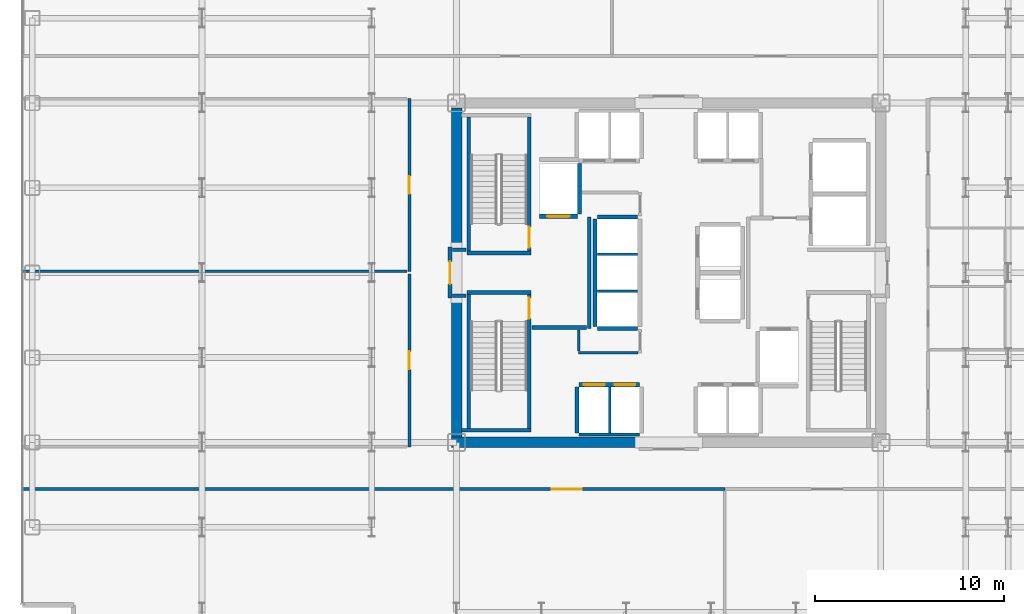
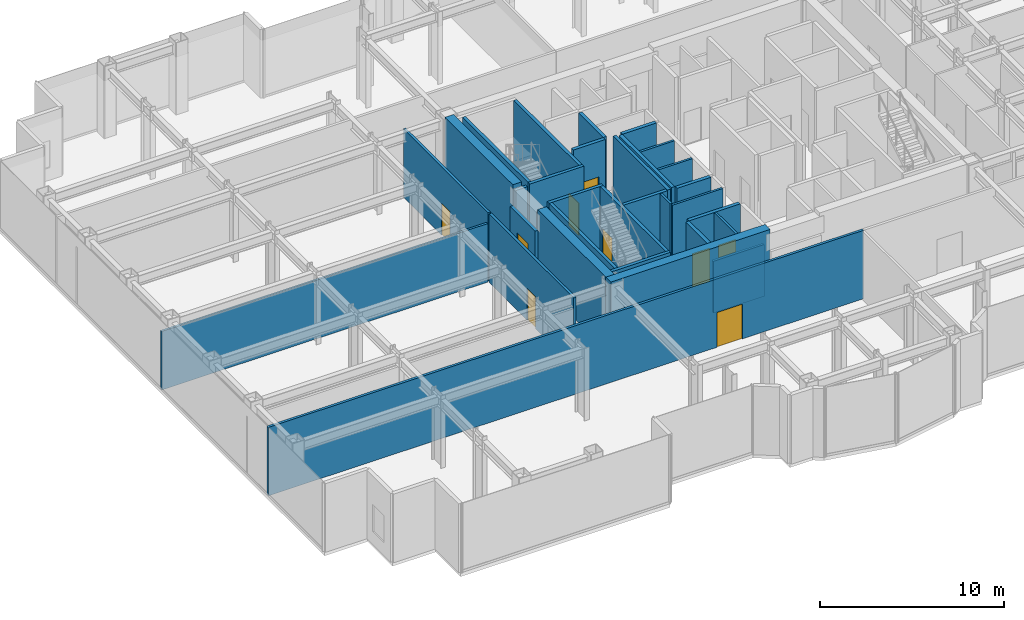
# One storey, part 20 of 27: 32 walls, 9 doors, 9 openings.
"""IFC4 building model written with IfcOpenShell, lengths in metres."""

from ifc_helpers import new_model, si_unit, direction, frame, frame_2d, origin, place, context, subcontext, project, spatial, rectangle, extrude, source, transform, mapped, material, layer, layer_set, type_object, element, fill, save


model = new_model("IFC4")

# Units and contexts
model_context = context("Model", 3, precision=1e-05, world=origin(), true_north=direction((0.0, 1.0)))
body_context = subcontext(model_context, "Body", "Model", "MODEL_VIEW")
ifc_project = project(units=[si_unit("LENGTHUNIT", "METRE"), si_unit("AREAUNIT", "SQUARE_METRE"), si_unit("VOLUMEUNIT", "CUBIC_METRE"), si_unit("PLANEANGLEUNIT", "RADIAN"), si_unit("MASSUNIT", "GRAM", prefix="KILO")], contexts=[model_context])

# Site, building, storey
site_placement = place(None, origin())
site = spatial("IfcSite", under=ifc_project, at=site_placement, CompositionType="ELEMENT")
building_placement = place(site_placement, origin())
building = spatial("IfcBuilding", under=site, at=building_placement, Name="Nefas-Gora Pilgrimage Tower", CompositionType="ELEMENT")
storey_placement = place(building_placement, frame((0.0, 0.0, 144.0)))
storey = spatial("IfcBuildingStorey", under=building, at=storey_placement, Name="L35", CompositionType="ELEMENT", Elevation=144.0)

# Walls
ifc_material_1 = material(Name="Concrete C60/75", Category="concrete")
ifc_layer_1 = layer(ifc_material_1, 0.550048828125)
ifc_layer_set_1 = layer_set([ifc_layer_1], Name="Concrete C60/75")
wall_type_1 = type_object("IfcWallType", Name="SW-CORE-550", PredefinedType="SHEAR", material=ifc_layer_set_1)
shared_shape_1 = source(origin(), body_context, "Body", "SweptSolid", [
    extrude(rectangle(XDim=9.974853515625, YDim=0.550048828125, at=frame_2d((4.9873046875, 0.0))), origin(), (0.0, 0.0, 1.0), 4.800048828125),
])
wall_1_placement = place(storey_placement, frame((-11.52490234375, -9.0, 0.0), z_axis=(0.0, 0.0, 1.0), x_axis=(1.0, 0.0, 0.0)))
element("IfcWall", 1, at=wall_1_placement, inside=storey, type_object=wall_type_1, Name="L35 Core Shear Wall S-West", PredefinedType="SHEAR", context=body_context, shape_type="MappedRepresentation", body=[
    mapped(shared_shape_1, transform((0.0, 0.0, 0.0), x_axis=(1.0, 0.0, 0.0), y_axis=(0.0, 1.0, 0.0), z_axis=(0.0, 0.0, 1.0), scale=1.0)),
])
shared_shape_2 = source(origin(), body_context, "Body", "SweptSolid", [
    extrude(rectangle(XDim=7.375, YDim=0.550048828125, at=frame_2d((3.6875, 0.0))), origin(), (0.0, 0.0, 1.0), 4.800048828125),
])
for number, where, z_axis, x_axis, name in (
    (2, (-11.25, -8.72509765625, 0.0), (0.0, 0.0, 1.0), (0.0, 1.0, 0.0), "L35 Core Shear Wall W-South"),
    (3, (-11.25, 1.35009765625, 0.0), (0.0, 0.0, 1.0), (0.0, 1.0, 0.0), "L35 Core Shear Wall W-North"),
):
    element("IfcWall", number, at=place(storey_placement, frame(where, z_axis=z_axis, x_axis=x_axis)), inside=storey, type_object=wall_type_1, Name=name, PredefinedType="SHEAR", context=body_context, shape_type="MappedRepresentation", body=[
        mapped(shared_shape_2, transform((0.0, 0.0, 0.0), x_axis=(1.0, 0.0, 0.0), y_axis=(0.0, 1.0, 0.0), z_axis=(0.0, 0.0, 1.0), scale=1.0)),
    ])
ifc_material_2 = material(Name="Concrete C45/55", Category="concrete")
ifc_layer_2 = layer(ifc_material_2, 0.199951171875)
ifc_layer_set_2 = layer_set([ifc_layer_2], Name="Concrete C45/55")
wall_type_2 = type_object("IfcWallType", Name="IW-STAIR-200", PredefinedType="SOLIDWALL", material=ifc_layer_set_2)
shared_shape_3 = source(origin(), body_context, "Body", "SweptSolid", [
    extrude(rectangle(XDim=3.39990234375, YDim=0.199951171875, at=frame_2d((1.699951171875, 0.0))), origin(), (0.0, 0.0, 1.0), 4.800048828125),
])
for number, where, z_axis, x_axis, name in (
    (4, (-7.300048828125, 1.050048828125, 0.0), (0.0, 0.0, 1.0), (-1.0, 0.0, 0.0), "L35 Stairwell Shear Wall ST-01-near"),
    (5, (-10.699951171875, -1.050048828125, 0.0), (0.0, 0.0, 1.0), (1.0, 0.0, 0.0), "L35 Stairwell Shear Wall ST-03-near"),
):
    element("IfcWall", number, at=place(storey_placement, frame(where, z_axis=z_axis, x_axis=x_axis)), inside=storey, type_object=wall_type_2, Name=name, PredefinedType="SOLIDWALL", context=body_context, shape_type="MappedRepresentation", body=[
        mapped(shared_shape_3, transform((0.0, 0.0, 0.0), x_axis=(1.0, 0.0, 0.0), y_axis=(0.0, 1.0, 0.0), z_axis=(0.0, 0.0, 1.0), scale=1.0)),
    ])
shared_shape_4 = source(origin(), body_context, "Body", "SweptSolid", [
    extrude(rectangle(XDim=3.679931640625, YDim=0.199951171875, at=frame_2d((1.83984375, 0.0))), origin(), (0.0, 0.0, 1.0), 4.800048828125),
])
wall_2_placement = place(storey_placement, frame((-10.97998046875, -8.35009765625, 0.0), z_axis=(0.0, 0.0, 1.0), x_axis=(1.0, 0.0, 0.0)))
element("IfcWall", 6, at=wall_2_placement, inside=storey, type_object=wall_type_2, Name="L35 Stairwell Shear Wall ST-03-far", PredefinedType="SOLIDWALL", context=body_context, shape_type="MappedRepresentation", body=[
    mapped(shared_shape_4, transform((0.0, 0.0, 0.0), x_axis=(1.0, 0.0, 0.0), y_axis=(0.0, 1.0, 0.0), z_axis=(0.0, 0.0, 1.0), scale=1.0)),
])

# Wall, opening, door
shared_shape_5 = source(origin(), body_context, "Body", "SweptSolid", [
    extrude(rectangle(XDim=7.10009765625, YDim=0.199951171875, at=frame_2d((3.550048828125, 0.0))), origin(), (0.0, 0.0, 1.0), 4.800048828125),
])
wall_3_placement = place(storey_placement, frame((-7.39990234375, 1.14990234375, 0.0), z_axis=(0.0, 0.0, 1.0), x_axis=(0.0, 1.0, 0.0)))
wall_3 = element("IfcWall", 7, at=wall_3_placement, inside=storey, type_object=wall_type_2, Name="L35 Stairwell Shear Wall ST-01-left", PredefinedType="SOLIDWALL", context=body_context, shape_type="MappedRepresentation", body=[
    mapped(shared_shape_5, transform((0.0, 0.0, 0.0), x_axis=(1.0, 0.0, 0.0), y_axis=(0.0, 1.0, 0.0), z_axis=(0.0, 0.0, 1.0), scale=1.0)),
])
opening_1_placement = place(wall_3_placement, frame((0.179931640625, 0.0, 0.0)))
opening_1 = element("IfcOpeningElement", 8, at=opening_1_placement, cuts=wall_3, Name="Opening ID-ST1", PredefinedType="OPENING", context=body_context, shape_type="SweptSolid", body=[
    extrude(rectangle(XDim=1.10009765625, YDim=2.14990234375, at=frame_2d((0.550048828125, 1.074951171875))), frame((0.0, 0.10986328125, 0.0), z_axis=(0.0, -1.0, 0.0), x_axis=(1.0, 0.0, 0.0)), (0.0, 0.0, 1.0), 0.219970703125),
])
ifc_material_3 = material(Name="Painted galvanised steel fire stair door", Category="steel")
door_type_1 = type_object("IfcDoorType", Name="DR-INT-STAIR-1100", OperationType="NOTDEFINED", PredefinedType="DOOR", material=ifc_material_3)
shared_shape_6 = source(origin(), body_context, "Body", "SweptSolid", [
    extrude(rectangle(XDim=1.10009765625, YDim=2.14990234375, at=frame_2d((0.550048828125, 1.074951171875))), frame((0.0, 0.02490234375, 0.0), z_axis=(0.0, -1.0, 0.0), x_axis=(1.0, 0.0, 0.0)), (0.0, 0.0, 1.0), 0.050048828125),
])
door_1_placement = place(opening_1_placement, origin())
door_1 = element("IfcDoor", 9, at=door_1_placement, inside=storey, type_object=door_type_1, Name="L35 Protected Exit Stair Door ST-01", OperationType="SINGLE_SWING_LEFT", OverallHeight=2.14990234375, OverallWidth=1.10009765625, PredefinedType="DOOR", context=body_context, shape_type="MappedRepresentation", body=[
    mapped(shared_shape_6, transform((0.0, 0.0, 0.0), x_axis=(1.0, 0.0, 0.0), y_axis=(0.0, 1.0, 0.0), z_axis=(0.0, 0.0, 1.0), scale=1.0)),
])
fill(opening_1, door_1)

# Walls
for number, where, z_axis, x_axis, name in (
    (10, (-10.60009765625, 1.14990234375, 0.0), (0.0, 0.0, 1.0), (0.0, 1.0, 0.0), "L35 Stairwell Shear Wall ST-01-right"),
    (11, (-10.60009765625, -1.14990234375, 0.0), (0.0, 0.0, 1.0), (0.0, -1.0, 0.0), "L35 Stairwell Shear Wall ST-03-left"),
):
    element("IfcWall", number, at=place(storey_placement, frame(where, z_axis=z_axis, x_axis=x_axis)), inside=storey, type_object=wall_type_2, Name=name, PredefinedType="SOLIDWALL", context=body_context, shape_type="MappedRepresentation", body=[
        mapped(shared_shape_5, transform((0.0, 0.0, 0.0), x_axis=(1.0, 0.0, 0.0), y_axis=(0.0, 1.0, 0.0), z_axis=(0.0, 0.0, 1.0), scale=1.0)),
    ])

# Wall, opening, door
wall_4_placement = place(storey_placement, frame((-7.39990234375, -1.14990234375, 0.0), z_axis=(0.0, 0.0, 1.0), x_axis=(0.0, -1.0, 0.0)))
wall_4 = element("IfcWall", 12, at=wall_4_placement, inside=storey, type_object=wall_type_2, Name="L35 Stairwell Shear Wall ST-03-right", PredefinedType="SOLIDWALL", context=body_context, shape_type="MappedRepresentation", body=[
    mapped(shared_shape_5, transform((0.0, 0.0, 0.0), x_axis=(1.0, 0.0, 0.0), y_axis=(0.0, 1.0, 0.0), z_axis=(0.0, 0.0, 1.0), scale=1.0)),
])
opening_2_placement = place(wall_4_placement, frame((0.179931640625, 0.0, 0.0)))
opening_2 = element("IfcOpeningElement", 13, at=opening_2_placement, cuts=wall_4, Name="Opening ID-ST1", PredefinedType="OPENING", context=body_context, shape_type="SweptSolid", body=[
    extrude(rectangle(XDim=1.10009765625, YDim=2.14990234375, at=frame_2d((0.550048828125, 1.074951171875))), frame((0.0, 0.10986328125, 0.0), z_axis=(0.0, -1.0, 0.0), x_axis=(1.0, 0.0, 0.0)), (0.0, 0.0, 1.0), 0.219970703125),
])
door_2_placement = place(opening_2_placement, origin())
door_2 = element("IfcDoor", 14, at=door_2_placement, inside=storey, type_object=door_type_1, Name="L35 Protected Exit Stair Door ST-03", OperationType="SINGLE_SWING_LEFT", OverallHeight=2.14990234375, OverallWidth=1.10009765625, PredefinedType="DOOR", context=body_context, shape_type="MappedRepresentation", body=[
    mapped(shared_shape_6, transform((0.0, 0.0, 0.0), x_axis=(1.0, 0.0, 0.0), y_axis=(0.0, 1.0, 0.0), z_axis=(0.0, 0.0, 1.0), scale=1.0)),
])
fill(opening_2, door_2)

ifc_material_4 = material(Name="Concrete C40/50", Category="concrete")
ifc_layer_3 = layer(ifc_material_4, 0.219970703125)
ifc_layer_set_3 = layer_set([ifc_layer_3], Name="Concrete C40/50")
wall_type_3 = type_object("IfcWallType", Name="IW-SHAFT-220", PredefinedType="SOLIDWALL", material=ifc_layer_set_3)
shared_shape_7 = source(origin(), body_context, "Body", "SweptSolid", [
    extrude(rectangle(XDim=2.0, YDim=0.219970703125, at=frame_2d((1.0, 0.0))), origin(), (0.0, 0.0, 1.0), 4.534912109375),
])
wall_5_placement = place(storey_placement, frame((-6.85009765625, 2.989990234375, 0.0), z_axis=(0.0, 0.0, 1.0), x_axis=(1.0, 0.0, 0.0)))
wall_5 = element("IfcWall", 15, at=wall_5_placement, inside=storey, type_object=wall_type_3, Name="L35 Hoistway Wall FFL-01-S", PredefinedType="SOLIDWALL", context=body_context, shape_type="MappedRepresentation", body=[
    mapped(shared_shape_7, transform((0.0, 0.0, 0.0), x_axis=(1.0, 0.0, 0.0), y_axis=(0.0, 1.0, 0.0), z_axis=(0.0, 0.0, 1.0), scale=1.0)),
])
opening_3_placement = place(wall_5_placement, frame((0.39990234375, 0.0, 0.0)))
opening_3 = element("IfcOpeningElement", 16, at=opening_3_placement, cuts=wall_5, Name="Opening LD-FF", PredefinedType="OPENING", context=body_context, shape_type="SweptSolid", body=[
    extrude(rectangle(XDim=1.199951171875, YDim=2.199951171875, at=frame_2d((0.60009765625, 1.10009765625))), frame((0.0, 0.119873046875, 0.0), z_axis=(0.0, -1.0, 0.0), x_axis=(1.0, 0.0, 0.0)), (0.0, 0.0, 1.0), 0.239990234375),
])
ifc_material_5 = material(Name="Fire-service sliding lift landing door")
door_type_2 = type_object("IfcDoorType", Name="DR-LIFT-FSAE-1200", OperationType="SLIDING_TO_LEFT", PredefinedType="DOOR", material=ifc_material_5)
shared_shape_8 = source(origin(), body_context, "Body", "SweptSolid", [
    extrude(rectangle(XDim=1.199951171875, YDim=2.199951171875, at=frame_2d((0.60009765625, 1.10009765625))), frame((0.0, 0.02490234375, 0.0), z_axis=(0.0, -1.0, 0.0), x_axis=(1.0, 0.0, 0.0)), (0.0, 0.0, 1.0), 0.050048828125),
])
door_3_placement = place(opening_3_placement, origin())
door_3 = element("IfcDoor", 17, at=door_3_placement, inside=storey, type_object=door_type_2, Name="L35 Sliding Lift Landing Door FFL-01", OperationType="SLIDING_TO_LEFT", OverallHeight=2.199951171875, OverallWidth=1.199951171875, PredefinedType="DOOR", context=body_context, shape_type="MappedRepresentation", body=[
    mapped(shared_shape_8, transform((0.0, 0.0, 0.0), x_axis=(1.0, 0.0, 0.0), y_axis=(0.0, 1.0, 0.0), z_axis=(0.0, 0.0, 1.0), scale=1.0)),
])
fill(opening_3, door_3)

# Wall
shared_shape_9 = source(origin(), body_context, "Body", "SweptSolid", [
    extrude(rectangle(XDim=2.679931640625, YDim=0.219970703125, at=frame_2d((1.33984375, 0.0))), origin(), (0.0, 0.0, 1.0), 4.534912109375),
])
wall_6_placement = place(storey_placement, frame((-4.739990234375, 3.110107421875, 0.0), z_axis=(0.0, 0.0, 1.0), x_axis=(0.0, 1.0, 0.0)))
element("IfcWall", 18, at=wall_6_placement, inside=storey, type_object=wall_type_3, Name="L35 Hoistway Wall FFL-01-E", PredefinedType="SOLIDWALL", context=body_context, shape_type="MappedRepresentation", body=[
    mapped(shared_shape_9, transform((0.0, 0.0, 0.0), x_axis=(1.0, 0.0, 0.0), y_axis=(0.0, 1.0, 0.0), z_axis=(0.0, 0.0, 1.0), scale=1.0)),
])

# Wall, openings, doors
shared_shape_10 = source(origin(), body_context, "Body", "SweptSolid", [
    extrude(rectangle(XDim=3.199951171875, YDim=0.219970703125, at=frame_2d((1.60009765625, 0.0))), origin(), (0.0, 0.0, 1.0), 4.534912109375),
])
wall_7_placement = place(storey_placement, frame((-1.550048828125, -5.93994140625, 0.0), z_axis=(0.0, 0.0, 1.0), x_axis=(-1.0, 0.0, 0.0)))
wall_7 = element("IfcWall", 19, at=wall_7_placement, inside=storey, type_object=wall_type_3, Name="L35 Hoistway Wall PL2-W-N", PredefinedType="SOLIDWALL", context=body_context, shape_type="MappedRepresentation", body=[
    mapped(shared_shape_10, transform((0.0, 0.0, 0.0), x_axis=(1.0, 0.0, 0.0), y_axis=(0.0, 1.0, 0.0), z_axis=(0.0, 0.0, 1.0), scale=1.0)),
])
opening_4_placement = place(wall_7_placement, frame((1.85009765625, 0.0, 0.0)))
opening_4 = element("IfcOpeningElement", 20, at=opening_4_placement, cuts=wall_7, Name="Opening LD-01", PredefinedType="OPENING", context=body_context, shape_type="SweptSolid", body=[
    extrude(rectangle(XDim=1.10009765625, YDim=2.199951171875, at=frame_2d((0.550048828125, 1.10009765625))), frame((0.0, 0.119873046875, 0.0), z_axis=(0.0, -1.0, 0.0), x_axis=(1.0, 0.0, 0.0)), (0.0, 0.0, 1.0), 0.239990234375),
])
opening_5_placement = place(wall_7_placement, frame((0.22509765625, 0.0, 0.0)))
opening_5 = element("IfcOpeningElement", 21, at=opening_5_placement, cuts=wall_7, Name="Opening LD-01", PredefinedType="OPENING", context=body_context, shape_type="SweptSolid", body=[
    extrude(rectangle(XDim=1.10009765625, YDim=2.199951171875, at=frame_2d((0.550048828125, 1.10009765625))), frame((0.0, 0.119873046875, 0.0), z_axis=(0.0, -1.0, 0.0), x_axis=(1.0, 0.0, 0.0)), (0.0, 0.0, 1.0), 0.239990234375),
])
ifc_material_6 = material(Name="Brushed stainless sliding lift landing door")
door_type_3 = type_object("IfcDoorType", Name="DR-LIFT-PASS-1100", OperationType="DOUBLE_DOOR_SLIDING", PredefinedType="DOOR", material=ifc_material_6)
shared_shape_11 = source(origin(), body_context, "Body", "SweptSolid", [
    extrude(rectangle(XDim=1.10009765625, YDim=2.199951171875, at=frame_2d((0.550048828125, 1.10009765625))), frame((0.0, 0.02490234375, 0.0), z_axis=(0.0, -1.0, 0.0), x_axis=(1.0, 0.0, 0.0)), (0.0, 0.0, 1.0), 0.050048828125),
])
door_4_placement = place(opening_4_placement, origin())
door_4 = element("IfcDoor", 22, at=door_4_placement, inside=storey, type_object=door_type_3, Name="L35 Sliding Lift Landing Door PL2-01", OperationType="DOUBLE_DOOR_SLIDING", OverallHeight=2.199951171875, OverallWidth=1.10009765625, PredefinedType="DOOR", context=body_context, shape_type="MappedRepresentation", body=[
    mapped(shared_shape_11, transform((0.0, 0.0, 0.0), x_axis=(1.0, 0.0, 0.0), y_axis=(0.0, 1.0, 0.0), z_axis=(0.0, 0.0, 1.0), scale=1.0)),
])
fill(opening_4, door_4)
door_5_placement = place(opening_5_placement, origin())
door_5 = element("IfcDoor", 23, at=door_5_placement, inside=storey, type_object=door_type_3, Name="L35 Sliding Lift Landing Door PL2-02", OperationType="DOUBLE_DOOR_SLIDING", OverallHeight=2.199951171875, OverallWidth=1.10009765625, PredefinedType="DOOR", context=body_context, shape_type="MappedRepresentation", body=[
    mapped(shared_shape_11, transform((0.0, 0.0, 0.0), x_axis=(1.0, 0.0, 0.0), y_axis=(0.0, 1.0, 0.0), z_axis=(0.0, 0.0, 1.0), scale=1.0)),
])
fill(opening_5, door_5)

# Walls
ifc_material_7 = material(Name="Gypsum acoustic stud partition")
ifc_layer_4 = layer(ifc_material_7, 0.159912109375)
ifc_layer_set_4 = layer_set([ifc_layer_4], Name="Gypsum acoustic stud partition")
wall_type_4 = type_object("IfcWallType", Name="IW-CORR-160", PredefinedType="PARTITIONING", material=ifc_layer_set_4)
shared_shape_12 = source(origin(), body_context, "Body", "SweptSolid", [
    extrude(rectangle(XDim=3.199951171875, YDim=0.159912109375, at=frame_2d((1.60009765625, 0.0))), origin(), (0.0, 0.0, 1.0), 3.425048828125),
])
wall_8_placement = place(storey_placement, frame((-4.75, -8.580078125, 0.0), z_axis=(0.0, 0.0, 1.0), x_axis=(1.0, 0.0, 0.0)))
element("IfcWall", 24, at=wall_8_placement, inside=storey, type_object=wall_type_4, Name="L35 Hoistway Wall PL2-W-S", PredefinedType="PARTITIONING", context=body_context, shape_type="MappedRepresentation", body=[
    mapped(shared_shape_12, transform((0.0, 0.0, 0.0), x_axis=(1.0, 0.0, 0.0), y_axis=(0.0, 1.0, 0.0), z_axis=(0.0, 0.0, 1.0), scale=1.0)),
])
shared_shape_13 = source(origin(), body_context, "Body", "SweptSolid", [
    extrude(rectangle(XDim=2.429931640625, YDim=0.219970703125, at=frame_2d((1.21484375, 0.0))), origin(), (0.0, 0.0, 1.0), 4.534912109375),
])
wall_9_placement = place(storey_placement, frame((-4.860107421875, -6.06005859375, 0.0), z_axis=(0.0, 0.0, 1.0), x_axis=(0.0, -1.0, 0.0)))
element("IfcWall", 25, at=wall_9_placement, inside=storey, type_object=wall_type_3, Name="L35 Hoistway Wall PL2-W-W", PredefinedType="SOLIDWALL", context=body_context, shape_type="MappedRepresentation", body=[
    mapped(shared_shape_13, transform((0.0, 0.0, 0.0), x_axis=(1.0, 0.0, 0.0), y_axis=(0.0, 1.0, 0.0), z_axis=(0.0, 0.0, 1.0), scale=1.0)),
])
ifc_material_8 = material(Name="Gypsum twin-stud partition")
ifc_layer_5 = layer(ifc_material_8, 0.139892578125)
ifc_layer_set_5 = layer_set([ifc_layer_5], Name="Gypsum twin-stud partition")
wall_type_5 = type_object("IfcWallType", Name="IW-UNIT-140", PredefinedType="PARTITIONING", material=ifc_layer_set_5)
shared_shape_14 = source(origin(), body_context, "Body", "SweptSolid", [
    extrude(rectangle(XDim=2.429931640625, YDim=0.139892578125, at=frame_2d((1.21484375, 0.0))), origin(), (0.0, 0.0, 1.0), 4.534912109375),
])
wall_10_placement = place(storey_placement, frame((-3.125, -8.489990234375, 0.0), z_axis=(0.0, 0.0, 1.0), x_axis=(0.0, 1.0, 0.0)))
element("IfcWall", 26, at=wall_10_placement, inside=storey, type_object=wall_type_5, Name="L35 Hoistway Wall PL2-W-DIV", PredefinedType="PARTITIONING", context=body_context, shape_type="MappedRepresentation", body=[
    mapped(shared_shape_14, transform((0.0, 0.0, 0.0), x_axis=(1.0, 0.0, 0.0), y_axis=(0.0, 1.0, 0.0), z_axis=(0.0, 0.0, 1.0), scale=1.0)),
])
shared_shape_15 = source(origin(), body_context, "Body", "SweptSolid", [
    extrude(rectangle(XDim=5.7001953125, YDim=0.219970703125, at=frame_2d((2.85009765625, 0.0))), origin(), (0.0, 0.0, 1.0), 4.534912109375),
])
wall_11_placement = place(storey_placement, frame((-3.909912109375, 2.85009765625, 0.0), z_axis=(0.0, 0.0, 1.0), x_axis=(0.0, -1.0, 0.0)))
element("IfcWall", 27, at=wall_11_placement, inside=storey, type_object=wall_type_3, Name="L35 Hoistway Wall PL3-01-03-W", PredefinedType="SOLIDWALL", context=body_context, shape_type="MappedRepresentation", body=[
    mapped(shared_shape_15, transform((0.0, 0.0, 0.0), x_axis=(1.0, 0.0, 0.0), y_axis=(0.0, 1.0, 0.0), z_axis=(0.0, 0.0, 1.0), scale=1.0)),
])
shared_shape_16 = source(origin(), body_context, "Body", "SweptSolid", [
    extrude(rectangle(XDim=2.130126953125, YDim=0.219970703125, at=frame_2d((1.06494140625, 0.0))), origin(), (0.0, 0.0, 1.0), 4.534912109375),
])
for number, where, z_axis, x_axis, name in (
    (28, (-3.7900390625, -2.9599609375, 0.0), (0.0, 0.0, 1.0), (1.0, 0.0, 0.0), "L35 Hoistway Wall PL3-01-S"),
    (29, (-1.659912109375, 2.9599609375, 0.0), (0.0, 0.0, 1.0), (-1.0, 0.0, 0.0), "L35 Hoistway Wall PL3-03-N"),
):
    element("IfcWall", number, at=place(storey_placement, frame(where, z_axis=z_axis, x_axis=x_axis)), inside=storey, type_object=wall_type_3, Name=name, PredefinedType="SOLIDWALL", context=body_context, shape_type="MappedRepresentation", body=[
        mapped(shared_shape_16, transform((0.0, 0.0, 0.0), x_axis=(1.0, 0.0, 0.0), y_axis=(0.0, 1.0, 0.0), z_axis=(0.0, 0.0, 1.0), scale=1.0)),
    ])
shared_shape_17 = source(origin(), body_context, "Body", "SweptSolid", [
    extrude(rectangle(XDim=2.130126953125, YDim=0.139892578125, at=frame_2d((1.06494140625, 0.0))), origin(), (0.0, 0.0, 1.0), 4.534912109375),
])
for number, where, z_axis, x_axis, name in (
    (30, (-3.7900390625, -0.97509765625, 0.0), (0.0, 0.0, 1.0), (1.0, 0.0, 0.0), "L35 Hoistway Wall PL3-01-02-DIV"),
    (31, (-3.7900390625, 0.97509765625, 0.0), (0.0, 0.0, 1.0), (1.0, 0.0, 0.0), "L35 Hoistway Wall PL3-02-03-DIV"),
):
    element("IfcWall", number, at=place(storey_placement, frame(where, z_axis=z_axis, x_axis=x_axis)), inside=storey, type_object=wall_type_5, Name=name, PredefinedType="PARTITIONING", context=body_context, shape_type="MappedRepresentation", body=[
        mapped(shared_shape_17, transform((0.0, 0.0, 0.0), x_axis=(1.0, 0.0, 0.0), y_axis=(0.0, 1.0, 0.0), z_axis=(0.0, 0.0, 1.0), scale=1.0)),
    ])

# Wall, opening, door
ifc_material_9 = material(Name="Gypsum fire-rated shaftwall")
ifc_layer_6 = layer(ifc_material_9, 0.199951171875)
ifc_layer_set_6 = layer_set([ifc_layer_6], Name="Gypsum fire-rated shaftwall")
wall_type_6 = type_object("IfcWallType", Name="IW-FFLOB-200", PredefinedType="PARTITIONING", material=ifc_layer_set_6)
shared_shape_18 = source(origin(), body_context, "Body", "SweptSolid", [
    extrude(rectangle(XDim=2.7001953125, YDim=0.199951171875, at=frame_2d((1.35009765625, 0.0))), origin(), (0.0, 0.0, 1.0), 3.425048828125),
])
wall_12_placement = place(storey_placement, frame((-11.60009765625, -1.35009765625, 0.0), z_axis=(0.0, 0.0, 1.0), x_axis=(0.0, 1.0, 0.0)))
wall_12 = element("IfcWall", 32, at=wall_12_placement, inside=storey, type_object=wall_type_6, Name="L35 FF Lobby West Portal Wall 3", PredefinedType="PARTITIONING", context=body_context, shape_type="MappedRepresentation", body=[
    mapped(shared_shape_18, transform((0.0, 0.0, 0.0), x_axis=(1.0, 0.0, 0.0), y_axis=(0.0, 1.0, 0.0), z_axis=(0.0, 0.0, 1.0), scale=1.0)),
])
opening_6_placement = place(wall_12_placement, frame((0.75, 0.0, 0.0)))
opening_6 = element("IfcOpeningElement", 33, at=opening_6_placement, cuts=wall_12, Name="Opening ID-FF1", PredefinedType="OPENING", context=body_context, shape_type="SweptSolid", body=[
    extrude(rectangle(XDim=1.199951171875, YDim=2.14990234375, at=frame_2d((0.60009765625, 1.074951171875))), frame((0.0, 0.10986328125, 0.0), z_axis=(0.0, -1.0, 0.0), x_axis=(1.0, 0.0, 0.0)), (0.0, 0.0, 1.0), 0.219970703125),
])
ifc_material_10 = material(Name="Smoke-sealed steel firefighting lobby door", Category="steel")
door_type_4 = type_object("IfcDoorType", Name="DR-INT-FFLOB-1200", OperationType="NOTDEFINED", PredefinedType="DOOR", material=ifc_material_10)
shared_shape_19 = source(origin(), body_context, "Body", "SweptSolid", [
    extrude(rectangle(XDim=1.199951171875, YDim=2.14990234375, at=frame_2d((0.60009765625, 1.074951171875))), frame((0.0, 0.02490234375, 0.0), z_axis=(0.0, -1.0, 0.0), x_axis=(1.0, 0.0, 0.0)), (0.0, 0.0, 1.0), 0.050048828125),
])
door_6_placement = place(opening_6_placement, origin())
door_6 = element("IfcDoor", 34, at=door_6_placement, inside=storey, type_object=door_type_4, Name="L35 FF Lobby West Portal Door 1", OperationType="SINGLE_SWING_LEFT", OverallHeight=2.14990234375, OverallWidth=1.199951171875, PredefinedType="DOOR", context=body_context, shape_type="MappedRepresentation", body=[
    mapped(shared_shape_19, transform((0.0, 0.0, 0.0), x_axis=(1.0, 0.0, 0.0), y_axis=(0.0, 1.0, 0.0), z_axis=(0.0, 0.0, 1.0), scale=1.0)),
])
fill(opening_6, door_6)

# Walls
shared_shape_20 = source(origin(), body_context, "Body", "SweptSolid", [
    extrude(rectangle(XDim=5.89990234375, YDim=0.199951171875, at=frame_2d((2.949951171875, 0.0))), origin(), (0.0, 0.0, 1.0), 4.534912109375),
])
wall_13_placement = place(storey_placement, frame((-4.219970703125, -2.949951171875, 0.0), z_axis=(0.0, 0.0, 1.0), x_axis=(0.0, 1.0, 0.0)))
element("IfcWall", 35, at=wall_13_placement, inside=storey, type_object=wall_type_6, Name="L35 FF Lobby West Inner Wall Wall 4", PredefinedType="PARTITIONING", context=body_context, shape_type="MappedRepresentation", body=[
    mapped(shared_shape_20, transform((0.0, 0.0, 0.0), x_axis=(1.0, 0.0, 0.0), y_axis=(0.0, 1.0, 0.0), z_axis=(0.0, 0.0, 1.0), scale=1.0)),
])
shared_shape_21 = source(origin(), body_context, "Body", "SweptSolid", [
    extrude(rectangle(XDim=2.89990234375, YDim=0.199951171875, at=frame_2d((1.449951171875, 0.0))), origin(), (0.0, 0.0, 1.0), 4.534912109375),
])
wall_14_placement = place(storey_placement, frame((-7.260009765625, -2.89990234375, 0.0), z_axis=(0.0, 0.0, 1.0), x_axis=(1.0, 0.0, 0.0)))
element("IfcWall", 36, at=wall_14_placement, inside=storey, type_object=wall_type_6, Name="L35 FF Lobby West South Wall Wall 5", PredefinedType="PARTITIONING", context=body_context, shape_type="MappedRepresentation", body=[
    mapped(shared_shape_21, transform((0.0, 0.0, 0.0), x_axis=(1.0, 0.0, 0.0), y_axis=(0.0, 1.0, 0.0), z_axis=(0.0, 0.0, 1.0), scale=1.0)),
])
shared_shape_22 = source(origin(), body_context, "Body", "SweptSolid", [
    extrude(rectangle(XDim=0.719970703125, YDim=0.199951171875, at=frame_2d((0.35986328125, 0.0))), origin(), (0.0, 0.0, 1.0), 4.534912109375),
])
for number, where, z_axis, x_axis, name in (
    (37, (-11.4599609375, 1.219970703125, 0.0), (0.0, 0.0, 1.0), (1.0, 0.0, 0.0), "L35 FF Lobby West Throat N Wall 6"),
    (38, (-11.4599609375, -1.219970703125, 0.0), (0.0, 0.0, 1.0), (1.0, 0.0, 0.0), "L35 FF Lobby West Throat S Wall 7"),
):
    element("IfcWall", number, at=place(storey_placement, frame(where, z_axis=z_axis, x_axis=x_axis)), inside=storey, type_object=wall_type_6, Name=name, PredefinedType="PARTITIONING", context=body_context, shape_type="MappedRepresentation", body=[
        mapped(shared_shape_22, transform((0.0, 0.0, 0.0), x_axis=(1.0, 0.0, 0.0), y_axis=(0.0, 1.0, 0.0), z_axis=(0.0, 0.0, 1.0), scale=1.0)),
    ])
shared_shape_23 = source(origin(), body_context, "Body", "SweptSolid", [
    extrude(rectangle(XDim=3.150146484375, YDim=0.139892578125, at=frame_2d((1.5751953125, 0.0))), origin(), (0.0, 0.0, 1.0), 4.534912109375),
])
wall_15_placement = place(storey_placement, frame((-4.7900390625, -4.25, 0.0), z_axis=(0.0, 0.0, 1.0), x_axis=(1.0, 0.0, 0.0)))
element("IfcWall", 39, at=wall_15_placement, inside=storey, type_object=wall_type_5, Name="L35 Pilgrim Baggage and Gear Vault Partition Wall 19", PredefinedType="PARTITIONING", context=body_context, shape_type="MappedRepresentation", body=[
    mapped(shared_shape_23, transform((0.0, 0.0, 0.0), x_axis=(1.0, 0.0, 0.0), y_axis=(0.0, 1.0, 0.0), z_axis=(0.0, 0.0, 1.0), scale=1.0)),
])
shared_shape_24 = source(origin(), body_context, "Body", "SweptSolid", [
    extrude(rectangle(XDim=1.099853515625, YDim=0.139892578125, at=frame_2d((0.5498046875, 0.0))), origin(), (0.0, 0.0, 1.0), 4.534912109375),
])
wall_16_placement = place(storey_placement, frame((-4.780029296875, -4.139892578125, 0.0), z_axis=(0.0, 0.0, 1.0), x_axis=(0.0, 1.0, 0.0)))
element("IfcWall", 40, at=wall_16_placement, inside=storey, type_object=wall_type_5, Name="L35 Pilgrim Baggage and Gear Vault Partition Wall 20", PredefinedType="PARTITIONING", context=body_context, shape_type="MappedRepresentation", body=[
    mapped(shared_shape_24, transform((0.0, 0.0, 0.0), x_axis=(1.0, 0.0, 0.0), y_axis=(0.0, 1.0, 0.0), z_axis=(0.0, 0.0, 1.0), scale=1.0)),
])

# Wall, opening, door
shared_shape_25 = source(origin(), body_context, "Body", "SweptSolid", [
    extrude(rectangle(XDim=37.27001953125, YDim=0.159912109375, at=frame_2d((18.635009765625, 0.0))), origin(), (0.0, 0.0, 1.0), 4.534912109375),
])
wall_17_placement = place(storey_placement, frame((-34.2900390625, -11.47998046875, 0.0), z_axis=(0.0, 0.0, 1.0), x_axis=(1.0, 0.0, 0.0)))
wall_17 = element("IfcWall", 41, at=wall_17_placement, inside=storey, type_object=wall_type_4, Name="L35 Highland Coffee and Tea Refectory Partition Wall 24", PredefinedType="PARTITIONING", context=body_context, shape_type="MappedRepresentation", body=[
    mapped(shared_shape_25, transform((0.0, 0.0, 0.0), x_axis=(1.0, 0.0, 0.0), y_axis=(0.0, 1.0, 0.0), z_axis=(0.0, 0.0, 1.0), scale=1.0)),
])
opening_7_placement = place(wall_17_placement, frame((28.090087890625, 0.0, 0.0)))
opening_7 = element("IfcOpeningElement", 42, at=opening_7_placement, cuts=wall_17, Name="Opening ID-HL1", PredefinedType="OPENING", context=body_context, shape_type="SweptSolid", body=[
    extrude(rectangle(XDim=1.60009765625, YDim=2.300048828125, at=frame_2d((0.800048828125, 1.14990234375))), frame((0.0, 0.08984375, 0.0), z_axis=(0.0, -1.0, 0.0), x_axis=(1.0, 0.0, 0.0)), (0.0, 0.0, 1.0), 0.179931640625),
])
ifc_material_11 = material(Name="Double acoustic timber assembly hall door", Category="wood")
door_type_5 = type_object("IfcDoorType", Name="DR-INT-HALL-1600", OperationType="DOUBLE_DOOR_SINGLE_SWING", PredefinedType="DOOR", material=ifc_material_11)
shared_shape_26 = source(origin(), body_context, "Body", "SweptSolid", [
    extrude(rectangle(XDim=1.60009765625, YDim=2.300048828125, at=frame_2d((0.800048828125, 1.14990234375))), frame((0.0, 0.02490234375, 0.0), z_axis=(0.0, -1.0, 0.0), x_axis=(1.0, 0.0, 0.0)), (0.0, 0.0, 1.0), 0.050048828125),
])
door_7_placement = place(opening_7_placement, origin())
door_7 = element("IfcDoor", 43, at=door_7_placement, inside=storey, type_object=door_type_5, Name="L35 Highland Coffee and Tea Refectory Door 10", OperationType="DOUBLE_DOOR_SINGLE_SWING", OverallHeight=2.300048828125, OverallWidth=1.60009765625, PredefinedType="DOOR", context=body_context, shape_type="MappedRepresentation", body=[
    mapped(shared_shape_26, transform((0.0, 0.0, 0.0), x_axis=(1.0, 0.0, 0.0), y_axis=(0.0, 1.0, 0.0), z_axis=(0.0, 0.0, 1.0), scale=1.0)),
])
fill(opening_7, door_7)

shared_shape_27 = source(origin(), body_context, "Body", "SweptSolid", [
    extrude(rectangle(XDim=9.179931640625, YDim=0.159912109375, at=frame_2d((4.58984375, 0.0))), origin(), (0.0, 0.0, 1.0), 4.534912109375),
])
wall_18_placement = place(storey_placement, frame((-13.75, 0.06005859375, 0.0), z_axis=(0.0, 0.0, 1.0), x_axis=(0.0, 1.0, 0.0)))
wall_18 = element("IfcWall", 44, at=wall_18_placement, inside=storey, type_object=wall_type_4, Name="L35 Pilgrim Reading Library Partition Wall 27", PredefinedType="PARTITIONING", context=body_context, shape_type="MappedRepresentation", body=[
    mapped(shared_shape_27, transform((0.0, 0.0, 0.0), x_axis=(1.0, 0.0, 0.0), y_axis=(0.0, 1.0, 0.0), z_axis=(0.0, 0.0, 1.0), scale=1.0)),
])
opening_8_placement = place(wall_18_placement, frame((4.114990234375, 0.0, 0.0)))
opening_8 = element("IfcOpeningElement", 45, at=opening_8_placement, cuts=wall_18, Name="Opening ID-GR1", PredefinedType="OPENING", context=body_context, shape_type="SweptSolid", body=[
    extrude(rectangle(XDim=0.949951171875, YDim=2.10009765625, at=frame_2d((0.47509765625, 1.050048828125))), frame((0.0, 0.08984375, 0.0), z_axis=(0.0, -1.0, 0.0), x_axis=(1.0, 0.0, 0.0)), (0.0, 0.0, 1.0), 0.179931640625),
])
ifc_material_12 = material(Name="Solid core oak fire-rated guest entrance door")
door_type_6 = type_object("IfcDoorType", Name="DR-INT-GUEST-950", OperationType="NOTDEFINED", PredefinedType="DOOR", material=ifc_material_12)
shared_shape_28 = source(origin(), body_context, "Body", "SweptSolid", [
    extrude(rectangle(XDim=0.949951171875, YDim=2.10009765625, at=frame_2d((0.47509765625, 1.050048828125))), frame((0.0, 0.02490234375, 0.0), z_axis=(0.0, -1.0, 0.0), x_axis=(1.0, 0.0, 0.0)), (0.0, 0.0, 1.0), 0.050048828125),
])
door_8_placement = place(opening_8_placement, origin())
door_8 = element("IfcDoor", 46, at=door_8_placement, inside=storey, type_object=door_type_6, Name="L35 Pilgrim Reading Library Door 12", OperationType="SINGLE_SWING_LEFT", OverallHeight=2.10009765625, OverallWidth=0.949951171875, PredefinedType="DOOR", context=body_context, shape_type="MappedRepresentation", body=[
    mapped(shared_shape_28, transform((0.0, 0.0, 0.0), x_axis=(1.0, 0.0, 0.0), y_axis=(0.0, 1.0, 0.0), z_axis=(0.0, 0.0, 1.0), scale=1.0)),
])
fill(opening_8, door_8)

wall_19_placement = place(storey_placement, frame((-13.75, -9.239990234375, 0.0), z_axis=(0.0, 0.0, 1.0), x_axis=(0.0, 1.0, 0.0)))
wall_19 = element("IfcWall", 47, at=wall_19_placement, inside=storey, type_object=wall_type_4, Name="L35 Sky Lobby Pantry and Servery Partition Wall 30", PredefinedType="PARTITIONING", context=body_context, shape_type="MappedRepresentation", body=[
    mapped(shared_shape_27, transform((0.0, 0.0, 0.0), x_axis=(1.0, 0.0, 0.0), y_axis=(0.0, 1.0, 0.0), z_axis=(0.0, 0.0, 1.0), scale=1.0)),
])
opening_9_placement = place(wall_19_placement, frame((4.114990234375, 0.0, 0.0)))
opening_9 = element("IfcOpeningElement", 48, at=opening_9_placement, cuts=wall_19, Name="Opening ID-GR1", PredefinedType="OPENING", context=body_context, shape_type="SweptSolid", body=[
    extrude(rectangle(XDim=0.949951171875, YDim=2.10009765625, at=frame_2d((0.47509765625, 1.050048828125))), frame((0.0, 0.08984375, 0.0), z_axis=(0.0, -1.0, 0.0), x_axis=(1.0, 0.0, 0.0)), (0.0, 0.0, 1.0), 0.179931640625),
])
door_9_placement = place(opening_9_placement, origin())
door_9 = element("IfcDoor", 49, at=door_9_placement, inside=storey, type_object=door_type_6, Name="L35 Sky Lobby Pantry and Servery Door 13", OperationType="SINGLE_SWING_RIGHT", OverallHeight=2.10009765625, OverallWidth=0.949951171875, PredefinedType="DOOR", context=body_context, shape_type="MappedRepresentation", body=[
    mapped(shared_shape_28, transform((0.0, 0.0, 0.0), x_axis=(1.0, 0.0, 0.0), y_axis=(0.0, 1.0, 0.0), z_axis=(0.0, 0.0, 1.0), scale=1.0)),
])
fill(opening_9, door_9)

# Wall
shared_shape_29 = source(origin(), body_context, "Body", "SweptSolid", [
    extrude(rectangle(XDim=20.419921875, YDim=0.139892578125, at=frame_2d((10.2099609375, 0.0))), origin(), (0.0, 0.0, 1.0), 3.875),
])
wall_20_placement = place(storey_placement, frame((-34.2900390625, 0.070068359375, 0.0), z_axis=(0.0, 0.0, 1.0), x_axis=(1.0, 0.0, 0.0)))
element("IfcWall", 50, at=wall_20_placement, inside=storey, type_object=wall_type_5, Name="L35 Pilgrim Reading Library Partition Wall 28", PredefinedType="PARTITIONING", context=body_context, shape_type="MappedRepresentation", body=[
    mapped(shared_shape_29, transform((0.0, 0.0, 0.0), x_axis=(1.0, 0.0, 0.0), y_axis=(0.0, 1.0, 0.0), z_axis=(0.0, 0.0, 1.0), scale=1.0)),
])

save(model, "model.ifc")
